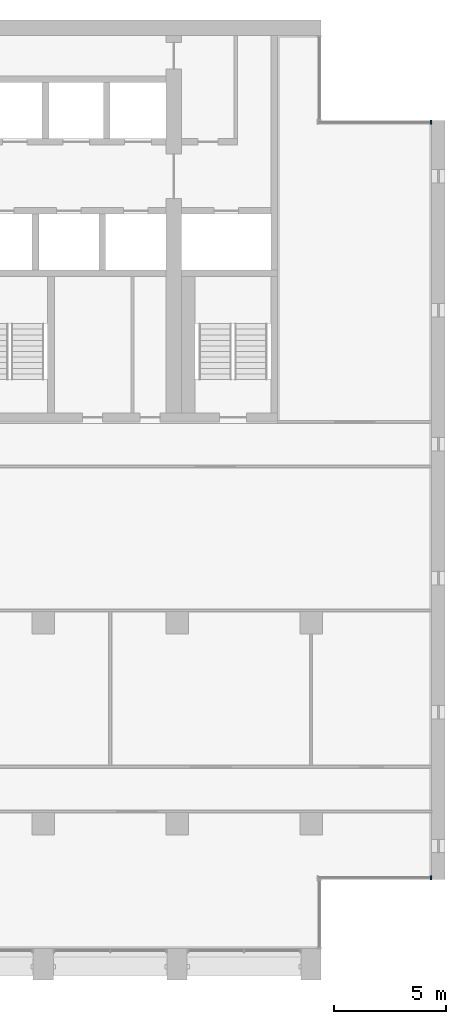
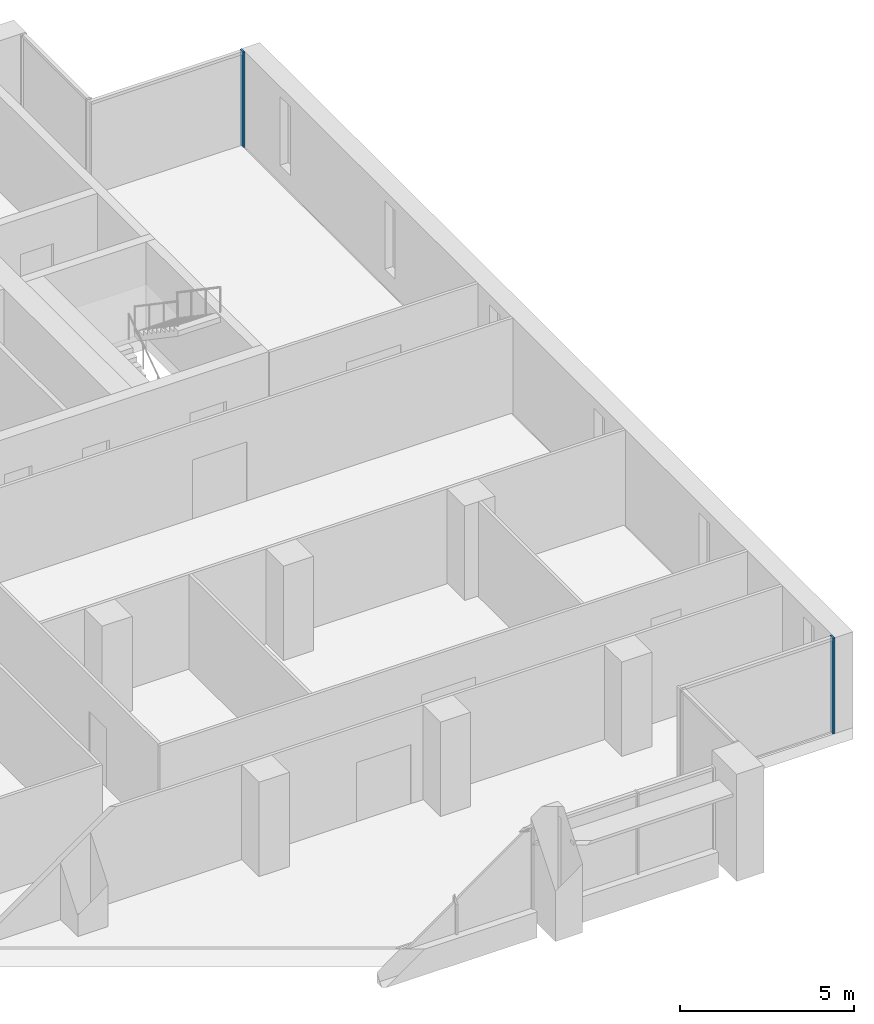
# One storey, part 6 of 17: 2 members, 2 elements without a shape of their own.
"""IFC4 building model written with IfcOpenShell, lengths in metres."""

from ifc_helpers import new_model, si_unit, direction, frame, origin, origin_2d, place, context, subcontext, project, spatial, rectangle, extrude, material, material_profile, profile_set, type_object, element, aggregate, save


model = new_model("IFC4")

# Units and contexts
model_context = context("Model", 3, precision=1e-05, world=origin(), true_north=direction((0.0, 1.0)))
body_context = subcontext(model_context, "Body", "Model", "MODEL_VIEW")
ifc_project = project(units=[si_unit("LENGTHUNIT", "METRE"), si_unit("AREAUNIT", "SQUARE_METRE"), si_unit("VOLUMEUNIT", "CUBIC_METRE"), si_unit("PLANEANGLEUNIT", "RADIAN"), si_unit("MASSUNIT", "GRAM", prefix="KILO")], contexts=[model_context])

# Site, building, storey
site_placement = place(None, origin())
site = spatial("IfcSite", under=ifc_project, at=site_placement, CompositionType="ELEMENT")
building_placement = place(site_placement, origin())
building = spatial("IfcBuilding", under=site, at=building_placement, Name="Calvaro Tower", CompositionType="ELEMENT")
storey_placement = place(building_placement, frame((0.0, 0.0, 215.5)))
storey = spatial("IfcBuildingStorey", under=building, at=storey_placement, Name="L54", CompositionType="ELEMENT", Elevation=215.5)

# Curtain wall, member
ifc_material_1 = material(Name="Anodised aluminium", Category="aluminium")
curtain_wall_type = type_object("IfcCurtainWallType", Name="Office curtain wall, upper zone", PredefinedType="NOTDEFINED", material=ifc_material_1)
curtain_wall_1_placement = place(storey_placement, origin())
curtain_wall_1 = element("IfcCurtainWall", 1, at=curtain_wall_1_placement, inside=storey, type_object=curtain_wall_type, Name="CW3 corner curtain wall", PredefinedType="NOTDEFINED")
ifc_material_2 = material(Name="Anodised aluminium", Category="aluminium")
ifc_material_profile = material_profile(ifc_material_2, rectangle(XDim=0.179931640625, YDim=0.06005859375, at=origin_2d()), Name="Mullion S3 60 x 180")
ifc_profile_set = profile_set([ifc_material_profile], Name="Anodised aluminium")
member_type = type_object("IfcMemberType", Name="Mullion S3 60 x 180", PredefinedType="MULLION", material=ifc_profile_set)
member_1_placement = place(storey_placement, frame((71.3701171875, 7.590087890625, 0.0), z_axis=(0.0, 0.0, 1.0), x_axis=(0.0, 1.0, 0.0)))
member_1 = element("IfcMember", 2, at=member_1_placement, type_object=member_type, Name="CW3 mullion 2", PredefinedType="MULLION", context=body_context, shape_type="SweptSolid", body=[
    extrude(rectangle(XDim=0.179931640625, YDim=0.06005859375, at=origin_2d()), origin(), (0.0, 0.0, 1.0), 3.35009765625),
])
aggregate(curtain_wall_1, [member_1])

curtain_wall_2_placement = place(storey_placement, origin())
curtain_wall_2 = element("IfcCurtainWall", 3, at=curtain_wall_2_placement, inside=storey, type_object=curtain_wall_type, Name="CW3 corner curtain wall", PredefinedType="NOTDEFINED")
member_2_placement = place(storey_placement, frame((71.3701171875, 41.409912109375, 0.0), z_axis=(0.0, 0.0, 1.0), x_axis=(0.0, 1.0, 0.0)))
member_2 = element("IfcMember", 4, at=member_2_placement, type_object=member_type, Name="CW3 mullion 2", PredefinedType="MULLION", context=body_context, shape_type="SweptSolid", body=[
    extrude(rectangle(XDim=0.179931640625, YDim=0.06005859375, at=origin_2d()), origin(), (0.0, 0.0, 1.0), 3.35009765625),
])
aggregate(curtain_wall_2, [member_2])

save(model, "model.ifc")
